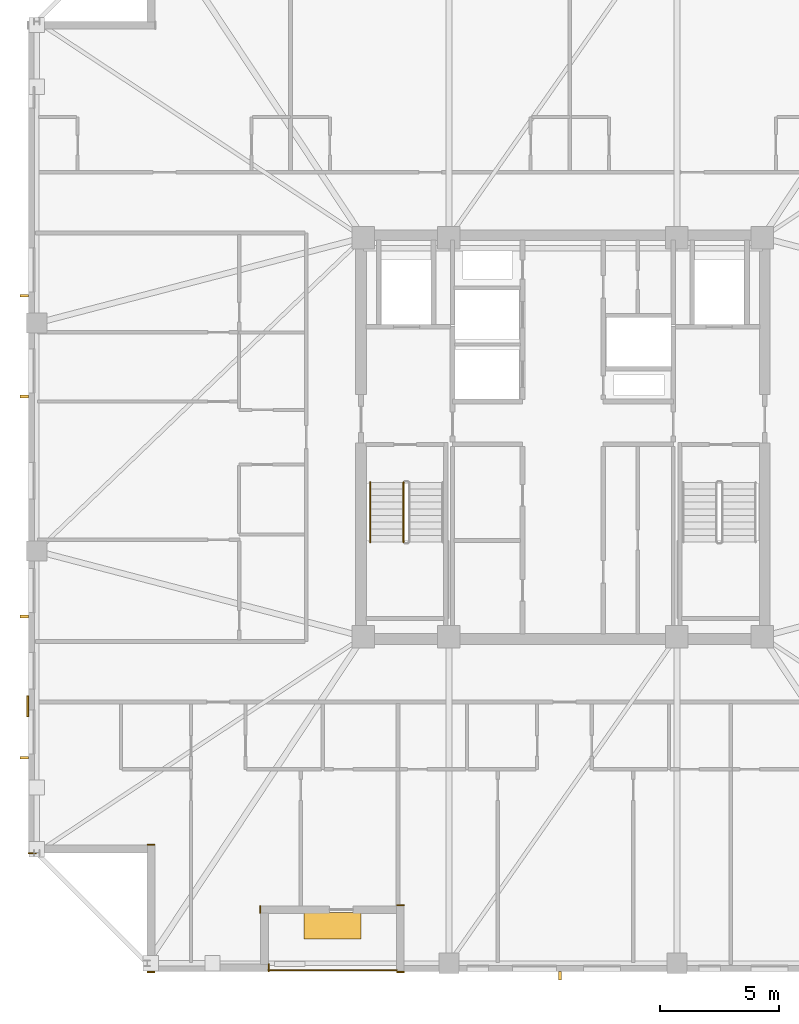
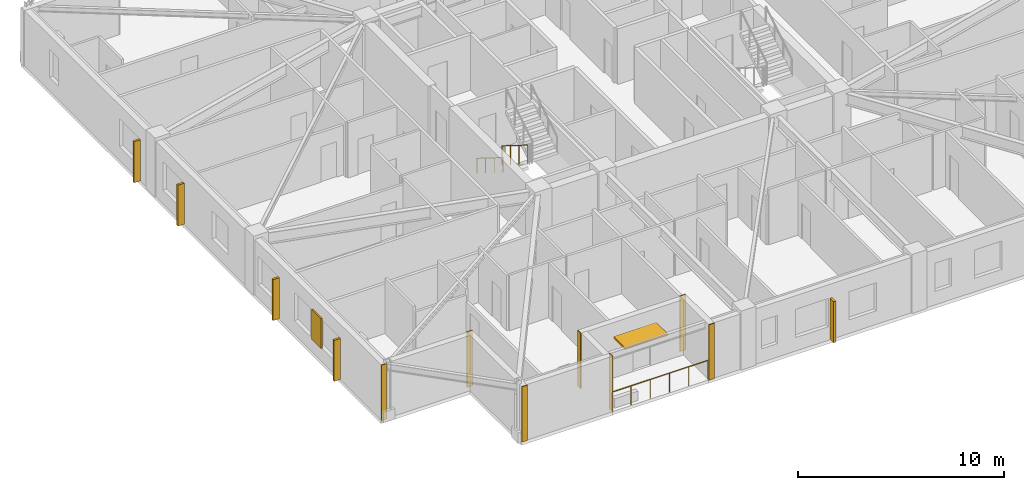
# One storey, part 13 of 17: 7 coverings, 7 shading devices, 3 railings.
"""IFC4 building model written with IfcOpenShell, lengths in metres."""

from ifc_helpers import new_model, si_unit, direction, frame, frame_2d, origin, origin_2d, place, context, subcontext, project, spatial, rectangle, circle, extrude, material, layer, layer_set, type_object, element, save


model = new_model("IFC4")

# Units and contexts
model_context = context("Model", 3, precision=1e-05, world=origin(), true_north=direction((0.0, 1.0)))
body_context = subcontext(model_context, "Body", "Model", "MODEL_VIEW")
ifc_project = project(units=[si_unit("LENGTHUNIT", "METRE"), si_unit("AREAUNIT", "SQUARE_METRE"), si_unit("VOLUMEUNIT", "CUBIC_METRE"), si_unit("PLANEANGLEUNIT", "RADIAN"), si_unit("MASSUNIT", "GRAM", prefix="KILO")], contexts=[model_context])

# Site, building, storey
site_placement = place(None, origin())
site = spatial("IfcSite", under=ifc_project, at=site_placement, CompositionType="ELEMENT")
building_placement = place(site_placement, origin())
building = spatial("IfcBuilding", under=site, at=building_placement, Name="Cairnveth Concourse Tower", CompositionType="ELEMENT")
storey_placement = place(building_placement, frame((0.0, 0.0, 258.5)))
storey = spatial("IfcBuildingStorey", under=building, at=storey_placement, Name="L71", CompositionType="ELEMENT", Elevation=258.5)

# Coverings
ifc_material_1 = material(Name="Dressed Melbourne Bluestone Cladding", Category="masonry")
ifc_layer = layer(ifc_material_1, 0.050048828125)
ifc_layer_set = layer_set([ifc_layer], Name="Dressed Melbourne Bluestone Cladding")
covering_type = type_object("IfcCoveringType", Name="DRESSED BLUESTONE PLINTH CLADDING 50", PredefinedType="CLADDING", material=ifc_layer_set)
for number, where, z_axis, x_axis, name in (
    (1, (39.6201171875, 16.820068359375, 0.0), (0.0, 0.0, 1.0), (0.0, -1.0, 0.0), "Melbourne Bluestone Corner Quoin L71-1071"),
    (2, (34.820068359375, 16.47998046875, 0.0), (0.0, 0.0, 1.0), (-1.0, 0.0, 0.0), "Melbourne Bluestone Corner Quoin L71-1072"),
    (3, (34.820068359375, 21.840087890625, 0.0), (0.0, 0.0, 1.0), (-1.0, 0.0, 0.0), "Melbourne Bluestone Corner Quoin L71-1073"),
    (4, (29.820068359375, 21.47998046875, 0.0), (0.0, 0.0, 1.0), (-1.0, 0.0, 0.0), "Melbourne Bluestone Corner Quoin L71-1074"),
    (5, (45.320068359375, 16.47998046875, 0.0), (0.0, 0.0, 1.0), (-1.0, 0.0, 0.0), "Melbourne Bluestone Corner Quoin L71-1084"),
    (6, (45.320068359375, 19.2900390625, 0.0), (0.0, 0.0, 1.0), (-1.0, 0.0, 0.0), "Melbourne Bluestone Corner Quoin L71-1085"),
    (7, (39.260009765625, 19.27001953125, 0.0), (0.0, 0.0, 1.0), (0.0, -1.0, 0.0), "Melbourne Bluestone Corner Quoin L71-1086"),
):
    element("IfcCovering", number, at=place(storey_placement, frame(where, z_axis=z_axis, x_axis=x_axis)), inside=storey, type_object=covering_type, Name=name, PredefinedType="CLADDING", context=body_context, shape_type="SweptSolid", body=[
        extrude(rectangle(XDim=0.320068359375, YDim=0.050048828125, at=frame_2d((0.16015625, 0.0))), origin(), (0.0, 0.0, 1.0), 3.2900390625),
    ])

# Shading devices
ifc_material_2 = material(Name="Architectural Bronze Anodised Aluminium 6063-T6", Category="aluminium")
shading_device_type_1 = type_object("IfcShadingDeviceType", Name="GOTHIC BRONZE VERTICAL LANCET FIN", PredefinedType="USERDEFINED", material=ifc_material_2)
for number, where, z_axis, x_axis, name in (
    (8, (29.324951171875, 25.502685546875, 0.030029296875), (0.0, 0.0, 1.0), (0.0, 1.0, 0.0), "Gothic Bronze Vertical Fin L71-3-1"),
    (9, (29.324951171875, 31.453125, 0.030029296875), (0.0, 0.0, 1.0), (0.0, 1.0, 0.0), "Gothic Bronze Vertical Fin L71-3-3"),
    (10, (29.324951171875, 40.70361328125, 0.030029296875), (0.0, 0.0, 1.0), (0.0, 1.0, 0.0), "Gothic Bronze Vertical Fin L71-3-5"),
    (11, (29.324951171875, 44.9541015625, 0.030029296875), (0.0, 0.0, 1.0), (0.0, 1.0, 0.0), "Gothic Bronze Vertical Fin L71-3-7"),
    (12, (51.88330078125, 16.324951171875, 0.030029296875), (0.0, 0.0, 1.0), (1.0, 0.0, 0.0), "Gothic Bronze Vertical Fin L71-12-5"),
):
    element("IfcShadingDevice", number, at=place(storey_placement, frame(where, z_axis=z_axis, x_axis=x_axis)), inside=storey, type_object=shading_device_type_1, Name=name, ObjectType="VERTICAL FIN", PredefinedType="USERDEFINED", context=body_context, shape_type="SweptSolid", body=[
        extrude(rectangle(XDim=0.1201171875, YDim=0.360107421875, at=origin_2d()), origin(), (0.0, 0.0, 1.0), 2.43798828125),
    ])
shading_device_type_2 = type_object("IfcShadingDeviceType", Name="SPIRAL TERRACE SUNSHADE CANOPY", PredefinedType="USERDEFINED", material=ifc_material_2)
shading_device_1_placement = place(storey_placement, frame((42.300048828125, 18.429931640625, 2.31787109375), z_axis=(0.0, 0.0, 1.0), x_axis=(1.0, 0.0, 0.0)))
element("IfcShadingDevice", 13, at=shading_device_1_placement, inside=storey, type_object=shading_device_type_2, Name="Spiral Terrace Sunshade L71", ObjectType="TERRACE SUNSHADE", PredefinedType="USERDEFINED", context=body_context, shape_type="SweptSolid", body=[
    extrude(rectangle(XDim=2.39990234375, YDim=1.10009765625, at=origin_2d()), origin(), (0.0, 0.0, 1.0), 0.1201171875),
])

# Railings
ifc_material_3 = material(Name="Steel Grade 350", Category="steel")
railing_type_1 = type_object("IfcRailingType", Name="STAIR GUARDRAIL 1150", PredefinedType="GUARDRAIL", material=ifc_material_3)
railing_1_placement = place(storey_placement, frame((45.2900390625, 37.10009765625, 0.175048828125)))
element("IfcRailing", 14, at=railing_1_placement, inside=storey, type_object=railing_type_1, Name="L71 ST-1 stair guard 1", PredefinedType="GUARDRAIL", context=body_context, shape_type="SweptSolid", body=[
    extrude(circle(Radius=0.02392578125, at=origin_2d()), frame((0.0, 0.0, 1.1259765625), z_axis=(0.0, -0.848007534815, 0.529984170421), x_axis=(1.0, 0.0, 0.0)), (0.0, 0.0, 1.0), 2.9716796875),
    extrude(circle(Radius=0.02099609375, at=origin_2d()), origin(), (0.0, 0.0, 1.0), 1.101806640625),
    extrude(circle(Radius=0.02099609375, at=origin_2d()), frame((0.0, -0.840087890625, 0.52490234375)), (0.0, 0.0, 1.0), 1.101806640625),
    extrude(circle(Radius=0.02099609375, at=origin_2d()), frame((0.0, -1.679931640625, 1.050048828125)), (0.0, 0.0, 1.0), 1.101806640625),
    extrude(circle(Radius=0.02099609375, at=origin_2d()), frame((0.0, -2.52001953125, 1.574951171875)), (0.0, 0.0, 1.0), 1.101806640625),
])
railing_type_2 = type_object("IfcRailingType", Name="STAIR WALL HANDRAIL 900", PredefinedType="HANDRAIL", material=ifc_material_3)
railing_2_placement = place(storey_placement, frame((43.889892578125, 37.10009765625, 0.175048828125)))
element("IfcRailing", 15, at=railing_2_placement, inside=storey, type_object=railing_type_2, Name="L71 ST-1 stair handrail 1", PredefinedType="HANDRAIL", context=body_context, shape_type="SweptSolid", body=[
    extrude(circle(Radius=0.02392578125, at=origin_2d()), frame((0.0, 0.0, 0.8759765625), z_axis=(0.0, -0.848007534815, 0.529984170421), x_axis=(1.0, 0.0, 0.0)), (0.0, 0.0, 1.0), 2.9716796875),
    extrude(circle(Radius=0.02099609375, at=origin_2d()), origin(), (0.0, 0.0, 1.0), 0.851806640625),
    extrude(circle(Radius=0.02099609375, at=origin_2d()), frame((0.0, -0.840087890625, 0.52490234375)), (0.0, 0.0, 1.0), 0.851806640625),
    extrude(circle(Radius=0.02099609375, at=origin_2d()), frame((0.0, -1.679931640625, 1.050048828125)), (0.0, 0.0, 1.0), 0.851806640625),
    extrude(circle(Radius=0.02099609375, at=origin_2d()), frame((0.0, -2.52001953125, 1.574951171875)), (0.0, 0.0, 1.0), 0.851806640625),
])
railing_type_3 = type_object("IfcRailingType", Name="TERRACE BRONZE BALUSTRADE 1150", PredefinedType="BALUSTRADE", material=ifc_material_2)
railing_3_placement = place(storey_placement, frame((39.60009765625, 16.56005859375, 0.0)))
element("IfcRailing", 16, at=railing_3_placement, inside=storey, type_object=railing_type_3, Name="Terrace Balustrade RL-L71-TERR", PredefinedType="BALUSTRADE", context=body_context, shape_type="SweptSolid", body=[
    extrude(circle(Radius=0.02490234375, at=origin_2d()), frame((0.0, 0.0, 1.125), z_axis=(1.0, 0.0, 0.0), x_axis=(0.0, 1.0, 0.0)), (0.0, 0.0, 1.0), 5.39990234375),
    extrude(circle(Radius=0.02099609375, at=origin_2d()), origin(), (0.0, 0.0, 1.0), 1.099853515625),
    extrude(circle(Radius=0.02099609375, at=origin_2d()), frame((1.080078125, 0.0, 0.0)), (0.0, 0.0, 1.0), 1.099853515625),
    extrude(circle(Radius=0.02099609375, at=origin_2d()), frame((2.159912109375, 0.0, 0.0)), (0.0, 0.0, 1.0), 1.099853515625),
    extrude(circle(Radius=0.02099609375, at=origin_2d()), frame((3.239990234375, 0.0, 0.0)), (0.0, 0.0, 1.0), 1.099853515625),
    extrude(circle(Radius=0.02099609375, at=origin_2d()), frame((4.31982421875, 0.0, 0.0)), (0.0, 0.0, 1.0), 1.099853515625),
    extrude(circle(Radius=0.02099609375, at=origin_2d()), frame((5.39990234375, 0.0, 0.0)), (0.0, 0.0, 1.0), 1.099853515625),
])

# Shading device
shading_device_type_3 = type_object("IfcShadingDeviceType", Name="WEST SOLAR PERFORATED SHUTTER", PredefinedType="SHUTTER", material=ifc_material_2)
shading_device_2_placement = place(storey_placement, frame((29.464111328125, 27.672607421875, 0.7998046875), z_axis=(0.0, 0.0, 1.0), x_axis=(1.0, 0.0, 0.0)))
element("IfcShadingDevice", 17, at=shading_device_2_placement, inside=storey, type_object=shading_device_type_3, Name="West Solar Shutter L71", PredefinedType="SHUTTER", context=body_context, shape_type="SweptSolid", body=[
    extrude(rectangle(XDim=0.080078125, YDim=0.89990234375, at=origin_2d()), origin(), (0.0, 0.0, 1.0), 1.800048828125),
])

save(model, "model.ifc")
